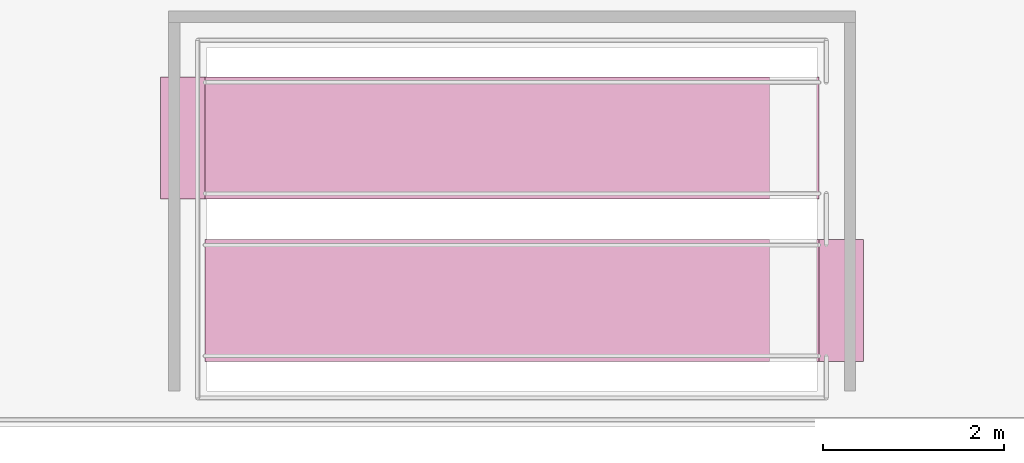
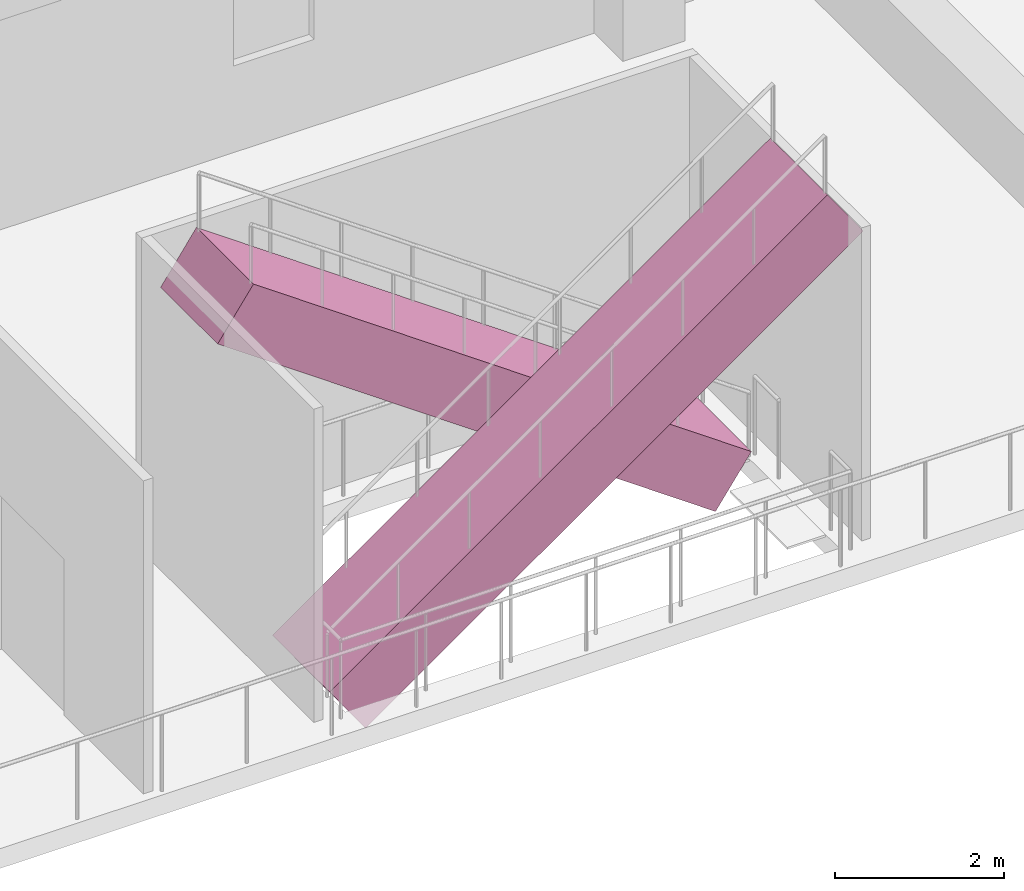
# One storey, part 67 of 67: 2 transport elements.
"""IFC4 building model written with IfcOpenShell, lengths in metres."""

from ifc_helpers import new_model, si_unit, direction, frame, origin, place, context, subcontext, project, spatial, polyline, outline, extrude, material, layer, layer_set, type_object, element, save


model = new_model("IFC4")

# Units and contexts
model_context = context("Model", 3, precision=1e-05, world=origin(), true_north=direction((0.0, 1.0)))
body_context = subcontext(model_context, "Body", "Model", "MODEL_VIEW")
ifc_project = project(units=[si_unit("LENGTHUNIT", "METRE"), si_unit("AREAUNIT", "SQUARE_METRE"), si_unit("VOLUMEUNIT", "CUBIC_METRE"), si_unit("PLANEANGLEUNIT", "RADIAN"), si_unit("MASSUNIT", "GRAM", prefix="KILO")], contexts=[model_context])

# Site, building, storey
site_placement = place(None, origin())
site = spatial("IfcSite", under=ifc_project, at=site_placement, CompositionType="ELEMENT")
building_placement = place(site_placement, origin())
building = spatial("IfcBuilding", under=site, at=building_placement, Name="Cendralis Terraced Arcade", CompositionType="ELEMENT")
storey_placement = place(building_placement, frame((0.0, 0.0, 15.0)))
storey = spatial("IfcBuildingStorey", under=building, at=storey_placement, Name="L03", CompositionType="ELEMENT", Elevation=15.0)

# Transport elements
ifc_material = material(Name="Brushed stainless steel and laminated glass escalator", Category="steel")
ifc_layer = layer(ifc_material, 0.949951171875, Name="ESC-ATR-1000")
ifc_layer_set = layer_set([ifc_layer], Name="Brushed stainless steel and laminated glass escalator")
transport_element_type = type_object("IfcTransportElementType", Name="ESC-ATR-1000", PredefinedType="ESCALATOR", material=ifc_layer_set)
transport_element_1_placement = place(storey_placement, frame((38.0, 39.125, 0.10009765625), z_axis=(-0.576664771883, 0.0, 0.816980869341), x_axis=(0.816980869341, 0.0, 0.576664771883)))
element("IfcTransportElement", 1, at=transport_element_1_placement, inside=storey, type_object=transport_element_type, Name="Atrium Retail Escalator ESC-07 (L03 to L04)", PredefinedType="ESCALATOR", context=body_context, shape_type="SweptSolid", body=[
    extrude(outline(polyline([(0.0, 0.0), (8.32338807836275, 0.0), (8.32338807836275, 1.35009765625), (0.0, 1.35009765625), (0.0, 0.0)])), origin(), (0.0, 0.0, -1.0), 0.85009765625),
])
transport_element_2_placement = place(storey_placement, frame((44.800048828125, 40.925048828125, 0.10009765625), z_axis=(0.576664771883, 0.0, 0.816980869341), x_axis=(-0.816980869341, 0.0, 0.576664771883)))
element("IfcTransportElement", 2, at=transport_element_2_placement, inside=storey, type_object=transport_element_type, Name="Atrium Retail Escalator ESC-08 (L03 to L04)", PredefinedType="ESCALATOR", context=body_context, shape_type="SweptSolid", body=[
    extrude(outline(polyline([(0.0, 0.0), (8.32338807836275, 0.0), (8.32338807836275, -1.349853515625), (0.0, -1.349853515625), (0.0, 0.0)])), origin(), (0.0, 0.0, -1.0), 0.85009765625),
])

save(model, "model.ifc")
